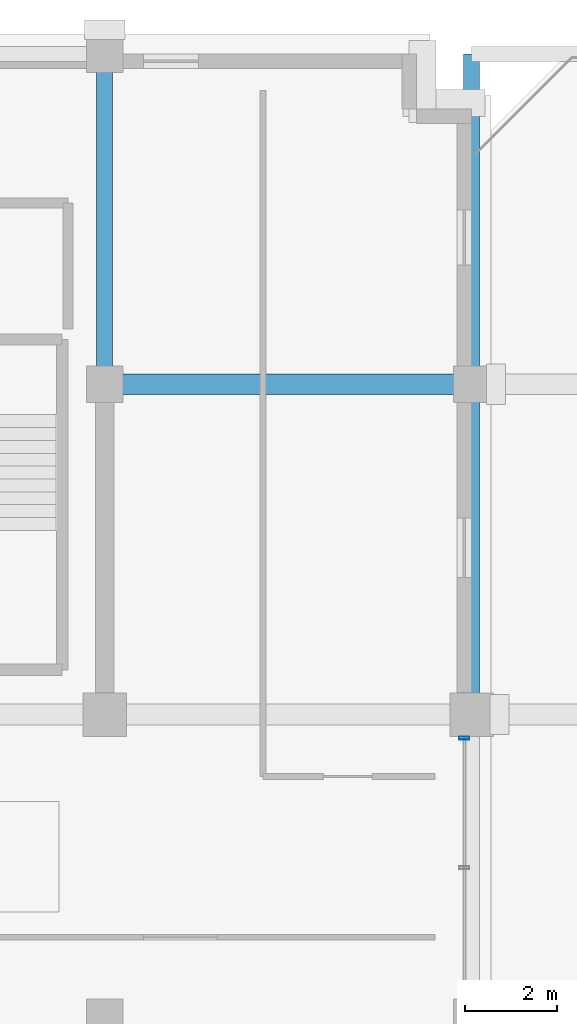
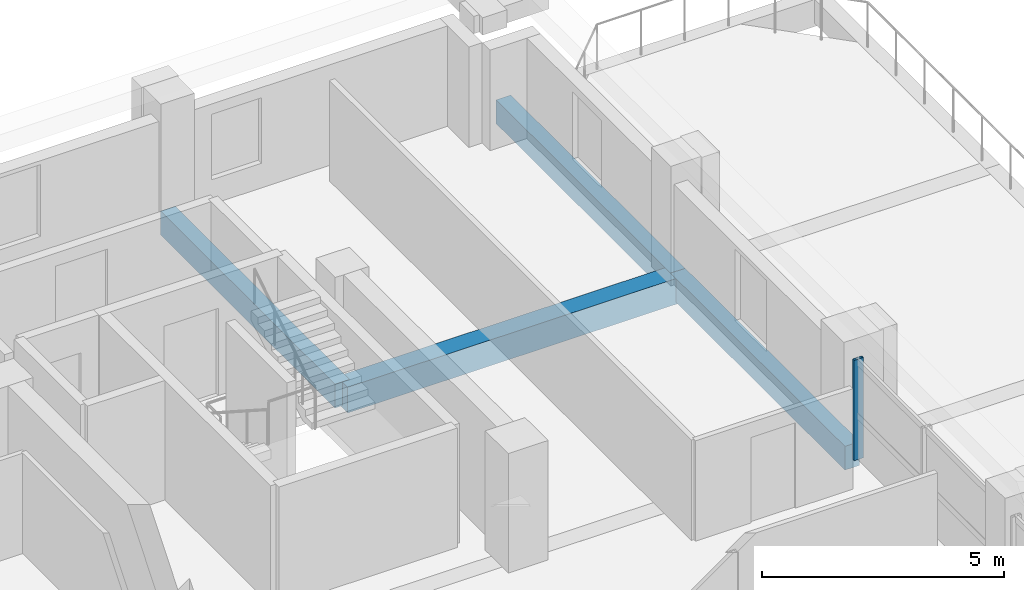
# One storey, part 14 of 22: 4 beams, 1 member, 1 element without a shape of its own.
"""IFC4 building model written with IfcOpenShell, lengths in metres."""

from ifc_helpers import new_model, si_unit, direction, frame, origin, origin_2d, place, context, subcontext, project, spatial, rectangle, hollow_rectangle, extrude, material, material_profile, profile_set, type_object, element, aggregate, save


model = new_model("IFC4")

# Units and contexts
model_context = context("Model", 3, precision=1e-05, world=origin(), true_north=direction((0.0, 1.0)))
body_context = subcontext(model_context, "Body", "Model", "MODEL_VIEW")
ifc_project = project(units=[si_unit("LENGTHUNIT", "METRE"), si_unit("AREAUNIT", "SQUARE_METRE"), si_unit("VOLUMEUNIT", "CUBIC_METRE"), si_unit("PLANEANGLEUNIT", "RADIAN"), si_unit("MASSUNIT", "GRAM", prefix="KILO")], contexts=[model_context])

# Site, building, storey
site_placement = place(None, origin())
site = spatial("IfcSite", under=ifc_project, at=site_placement, CompositionType="ELEMENT")
building_placement = place(site_placement, origin())
building = spatial("IfcBuilding", under=site, at=building_placement, Name="Akrevak Sports Hall", CompositionType="ELEMENT")
storey_placement = place(building_placement, frame((0.0, 0.0, 40.550048828125)))
storey = spatial("IfcBuildingStorey", under=building, at=storey_placement, Name="L09", CompositionType="ELEMENT", Elevation=40.550048828125)

# Curtain wall, member
ifc_material_1 = material(Name="Anodized Bronze Aluminium & Low-E Glass", Category="aluminium")
curtain_wall_type = type_object("IfcCurtainWallType", Name="ARC-CW-TWR-68x30", PredefinedType="NOTDEFINED", material=ifc_material_1)
curtain_wall_placement = place(storey_placement, origin())
curtain_wall = element("IfcCurtainWall", 1, at=curtain_wall_placement, inside=storey, type_object=curtain_wall_type, Name="Curtain Wall CW-L09-E14", PredefinedType="NOTDEFINED")
ifc_material_2 = material(Name="Anodized Bronze Aluminium", Category="aluminium")
ifc_material_profile_1 = material_profile(ifc_material_2, hollow_rectangle(XDim=0.06494140625, YDim=0.219970703125, WallThickness=0.00439453125, at=origin_2d()), Name="CWM 65x220", Category="aluminium")
ifc_profile_set_1 = profile_set([ifc_material_profile_1], Name="Anodized Bronze Aluminium")
member_type = type_object("IfcMemberType", Name="ARC-CWM-70x160", PredefinedType="MULLION", material=ifc_profile_set_1)
member_placement = place(storey_placement, frame((107.840087890625, 54.68505859375, 0.0), z_axis=(0.0, 0.0, 1.0), x_axis=(0.0, 1.0, 0.0)))
member = element("IfcMember", 2, at=member_placement, type_object=member_type, Name="Curtain Wall Mullion CW-L09-E14-M3", PredefinedType="MULLION", context=body_context, shape_type="SweptSolid", body=[
    extrude(hollow_rectangle(XDim=0.06494140625, YDim=0.219970703125, WallThickness=0.00439453125, at=origin_2d()), origin(), (0.0, 0.0, 1.0), 2.530029296875),
])
aggregate(curtain_wall, [member])

# Beams
ifc_material_3 = material(Name="Concrete C40/50", Category="concrete")
ifc_material_profile_2 = material_profile(ifc_material_3, rectangle(XDim=0.35009765625, YDim=0.60009765625, at=origin_2d()), Name="BM 350x600", Category="concrete")
ifc_profile_set_2 = profile_set([ifc_material_profile_2], Name="Concrete C40/50")
beam_type_1 = type_object("IfcBeamType", Name="STR-BM-RC350x600", PredefinedType="BEAM", material=ifc_profile_set_2)
beam_1_placement = place(storey_placement, frame((100.0, 62.39990234375, -0.300048828125), z_axis=(0.0, 1.0, 0.0), x_axis=(-1.0, 0.0, 0.0)))
element("IfcBeam", 3, at=beam_1_placement, inside=storey, type_object=beam_type_1, Name="Girder 14/J-K (L09)", PredefinedType="BEAM", context=body_context, shape_type="SweptSolid", body=[
    extrude(rectangle(XDim=0.35009765625, YDim=0.60009765625, at=origin_2d()), origin(), (0.0, 0.0, 1.0), 7.2001953125),
])
beam_2_placement = place(storey_placement, frame((108.0, 55.199951171875, -0.300048828125), z_axis=(0.0, 1.0, 0.0), x_axis=(-1.0, 0.0, 0.0)))
element("IfcBeam", 4, at=beam_2_placement, inside=storey, type_object=beam_type_1, Name="Girder 15/I-J (L09)", PredefinedType="BEAM", context=body_context, shape_type="SweptSolid", body=[
    extrude(rectangle(XDim=0.35009765625, YDim=0.60009765625, at=origin_2d()), origin(), (0.0, 0.0, 1.0), 7.199951171875),
])
beam_3_placement = place(storey_placement, frame((108.0, 62.39990234375, -0.300048828125), z_axis=(0.0, 1.0, 0.0), x_axis=(-1.0, 0.0, 0.0)))
element("IfcBeam", 5, at=beam_3_placement, inside=storey, type_object=beam_type_1, Name="Girder 15/J-K (L09)", PredefinedType="BEAM", context=body_context, shape_type="SweptSolid", body=[
    extrude(rectangle(XDim=0.35009765625, YDim=0.60009765625, at=origin_2d()), origin(), (0.0, 0.0, 1.0), 7.2001953125),
])
ifc_material_profile_3 = material_profile(ifc_material_3, rectangle(XDim=0.449951171875, YDim=0.64990234375, at=origin_2d()), Name="BM 450x650", Category="concrete")
ifc_profile_set_3 = profile_set([ifc_material_profile_3], Name="Concrete C40/50")
beam_type_2 = type_object("IfcBeamType", Name="STR-BM-RC450x650", PredefinedType="BEAM", material=ifc_profile_set_3)
beam_4_placement = place(storey_placement, frame((100.0, 62.39990234375, -0.324951171875), z_axis=(1.0, 0.0, 0.0), x_axis=(0.0, 1.0, 0.0)))
element("IfcBeam", 6, at=beam_4_placement, inside=storey, type_object=beam_type_2, Name="Girder J/14-15 (L09)", PredefinedType="BEAM", context=body_context, shape_type="SweptSolid", body=[
    extrude(rectangle(XDim=0.449951171875, YDim=0.64990234375, at=origin_2d()), origin(), (0.0, 0.0, 1.0), 8.0),
])

save(model, "model.ifc")
